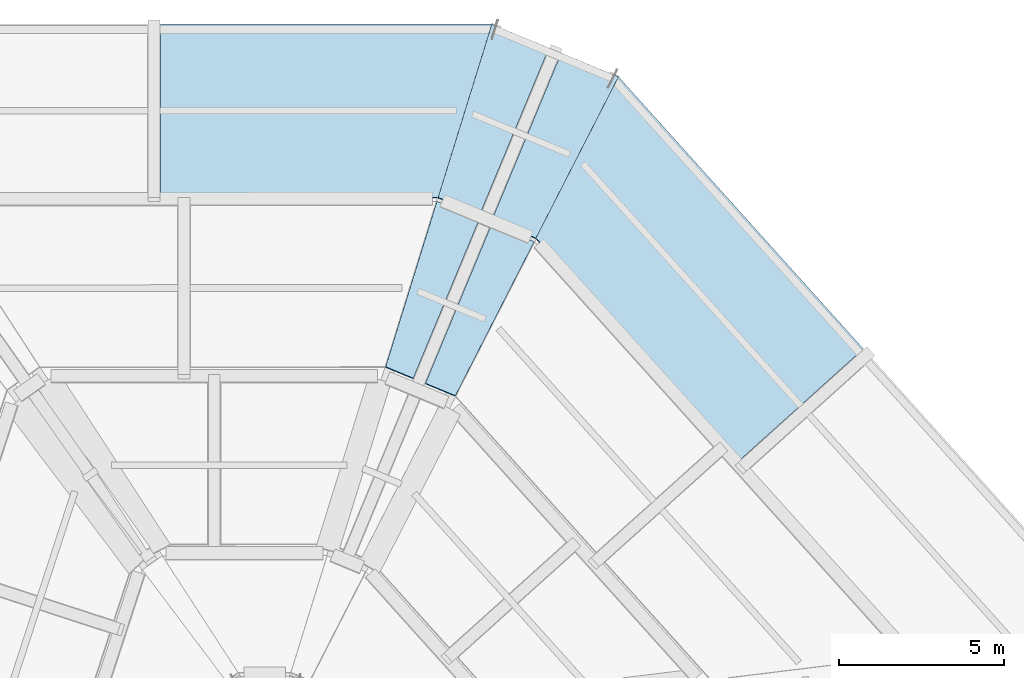
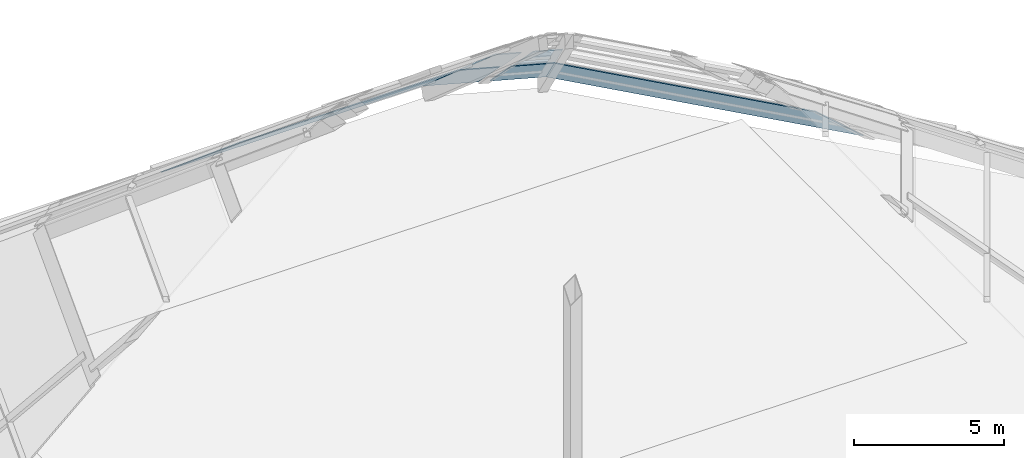
# One storey, part 6 of 10: 6 plates, 3 elements without a shape of their own.
"""IFC4 building model written with IfcOpenShell, lengths in metres."""

from ifc_helpers import new_model, si_unit, direction, frame, origin, place, context, subcontext, project, spatial, polyline, outline, extrude, material, layer, layer_set, type_object, element, aggregate, save


model = new_model("IFC4")

# Units and contexts
model_context = context("Model", 3, precision=1e-05, world=origin(), true_north=direction((0.0, 1.0)))
body_context = subcontext(model_context, "Body", "Model", "MODEL_VIEW")
ifc_project = project(units=[si_unit("LENGTHUNIT", "METRE"), si_unit("AREAUNIT", "SQUARE_METRE"), si_unit("VOLUMEUNIT", "CUBIC_METRE"), si_unit("PLANEANGLEUNIT", "RADIAN"), si_unit("MASSUNIT", "GRAM", prefix="KILO")], contexts=[model_context])

# Site, building, storey
site_placement = place(None, origin())
site = spatial("IfcSite", under=ifc_project, at=site_placement, CompositionType="ELEMENT")
building_placement = place(site_placement, origin())
building = spatial("IfcBuilding", under=site, at=building_placement, Name="Isthmus Gate Tower", CompositionType="ELEMENT")
storey_placement = place(building_placement, frame((0.0, 0.0, 315.60009765625)))
storey = spatial("IfcBuildingStorey", under=building, at=storey_placement, Name="C4", CompositionType="ELEMENT", Elevation=315.60009765625)

# Curtain wall, plate
ifc_material_1 = material(Name="Aluminium, white powder-coated", Category="aluminium")
ifc_layer_1 = layer(ifc_material_1, 0.199951171875)
ifc_layer_set_1 = layer_set([ifc_layer_1], Name="CW-5 CROWN FACET CURTAIN WALL 200 DEEP")
curtain_wall_type = type_object("IfcCurtainWallType", Name="CW-5 CROWN FACET CURTAIN WALL 200 DEEP", PredefinedType="NOTDEFINED", material=ifc_layer_set_1)
curtain_wall_1_placement = place(storey_placement, origin())
curtain_wall_1 = element("IfcCurtainWall", 1, at=curtain_wall_1_placement, inside=storey, type_object=curtain_wall_type, Name="CW-5 facet 1", PredefinedType="NOTDEFINED")
ifc_material_2 = material(Name="Laminated glass, pale blue tint with white frit", Category="glass")
ifc_layer_2 = layer(ifc_material_2, 0.035888671875)
ifc_layer_set_2 = layer_set([ifc_layer_2], Name="CW-5 GLASS LITE 36")
plate_type = type_object("IfcPlateType", Name="CW-5 GLASS LITE 36", PredefinedType="CURTAIN_PANEL", material=ifc_layer_set_2)
plate_1_placement = place(storey_placement, frame((6.568115234375, 21.663818359375, 0.28955078125), z_axis=(-5.658805e-06, 0.64193668448, 0.766757649513), x_axis=(-0.999999974888, -0.000175415142, 0.000139479025)))
plate_1 = element("IfcPlate", 2, at=plate_1_placement, type_object=plate_type, Name="CW-5 glass lite", PredefinedType="CURTAIN_PANEL", context=body_context, shape_type="SweptSolid", body=[
    extrude(outline(polyline([(0.0, 0.0), (10.046142829938606, 6.505213034913027e-19), (10.046946093545621, 6.854585818126322), (1.629465289256379, 6.8540337398805375), (0.0, 0.0)])), origin(), (0.0, 0.0, -1.0), 0.035888671875),
])
aggregate(curtain_wall_1, [plate_1])

curtain_wall_2_placement = place(storey_placement, origin())
curtain_wall_2 = element("IfcCurtainWall", 3, at=curtain_wall_2_placement, inside=storey, type_object=curtain_wall_type, Name="CW-5 facet 11", PredefinedType="NOTDEFINED")
plate_2_placement = place(storey_placement, frame((17.841796875, 11.81298828125, 0.290283203125), z_axis=(0.483667835029, 0.435498122156, 0.759214601386), x_axis=(-0.668982886806, 0.743277786283, -0.00017198778)))
plate_2 = element("IfcPlate", 4, at=plate_2_placement, type_object=plate_type, Name="CW-5 glass lite", PredefinedType="CURTAIN_PANEL", context=body_context, shape_type="SweptSolid", body=[
    extrude(outline(polyline([(0.0, 0.0), (11.104444525509136, 4.774826367626162e-16), (9.1409250787383, 6.760130185139294), (-0.0007583563734871382, 6.760781901657305), (0.0, 0.0)])), origin(), (0.0, 0.0, -1.0), 0.035888671875),
])
aggregate(curtain_wall_2, [plate_2])

# Curtain wall, plates
curtain_wall_3_placement = place(storey_placement, origin())
curtain_wall_3 = element("IfcCurtainWall", 5, at=curtain_wall_3_placement, inside=storey, type_object=curtain_wall_type, Name="CW-5 facet 12", PredefinedType="NOTDEFINED")
plate_3_placement = place(storey_placement, frame((10.4130859375, 20.066650390625, 0.288330078125), z_axis=(0.240450134361, 0.578228708534, 0.779637924625), x_axis=(-0.923514677361, 0.383562926863, 0.000349049739)))
plate_3 = element("IfcPlate", 6, at=plate_3_placement, type_object=plate_type, Name="CW-5 glass lite", PredefinedType="CURTAIN_PANEL", context=body_context, shape_type="SweptSolid", body=[
    extrude(outline(polyline([(0.0, 0.0), (1.8820062524447425, -4.141652298894627e-17), (1.883757716044317, 7.0261310270021085), (0.43538289329727764, 7.026038034908079), (0.0, 0.0)])), origin(), (0.0, 0.0, -1.0), 0.035888671875),
])
plate_4_placement = place(storey_placement, frame((8.3056640625, 20.942138671875, 0.2890625), z_axis=(0.240450969847, 0.578230805662, 0.779636111583), x_axis=(-0.923495146323, 0.38360998397, 0.000308084102)))
plate_4 = element("IfcPlate", 7, at=plate_4_placement, type_object=plate_type, Name="CW-5 glass lite", PredefinedType="CURTAIN_PANEL", context=body_context, shape_type="SweptSolid", body=[
    extrude(outline(polyline([(0.0, 0.0), (1.8814615930582426, 3.122502256758253e-17), (1.3700958973838304, 7.026481392186957), (0.0012921235923425167, 7.026131126180967), (0.0, 0.0)])), origin(), (0.0, 0.0, -1.0), 0.035888671875),
])
placement = place(building_placement, frame((0.0, 0.0, 320.10009765625)))
plate_5_placement = place(placement, frame((7.8544921875, 15.063232421875, 0.288330078125), z_axis=(0.24050015735, 0.578200282464, 0.779643577331), x_axis=(-0.923559114394, 0.3834557295, 0.000515493536)))
plate_5 = element("IfcPlate", 8, at=plate_5_placement, type_object=plate_type, Name="CW-5 glass lite", PredefinedType="CURTAIN_PANEL", context=body_context, shape_type="SweptSolid", body=[
    extrude(outline(polyline([(0.0, 0.0), (1.3981383018779108, -1.3823577699190182e-17), (1.4006354384543664, 6.706811368661436), (0.4168599949478511, 6.706432937181722), (0.0, 0.0)])), origin(), (0.0, 0.0, -1.0), 0.035888671875),
])
plate_6_placement = place(placement, frame((6.19384765625, 15.7529296875, 0.2890625), z_axis=(0.240447100028, 0.578227644959, 0.779639649257), x_axis=(-0.923531561146, 0.38352224203, 0.000381359342)))
plate_6 = element("IfcPlate", 9, at=plate_6_placement, type_object=plate_type, Name="CW-5 glass lite", PredefinedType="CURTAIN_PANEL", context=body_context, shape_type="SweptSolid", body=[
    extrude(outline(polyline([(0.0, 0.0), (1.397368143602029, -4.016969049058794e-17), (0.9102500461689012, 6.707356605962724), (0.0015573292661157274, 6.70681165250468), (0.0, 0.0)])), origin(), (0.0, 0.0, -1.0), 0.035888671875),
])
aggregate(curtain_wall_3, [plate_3, plate_4, plate_5, plate_6])

save(model, "model.ifc")
